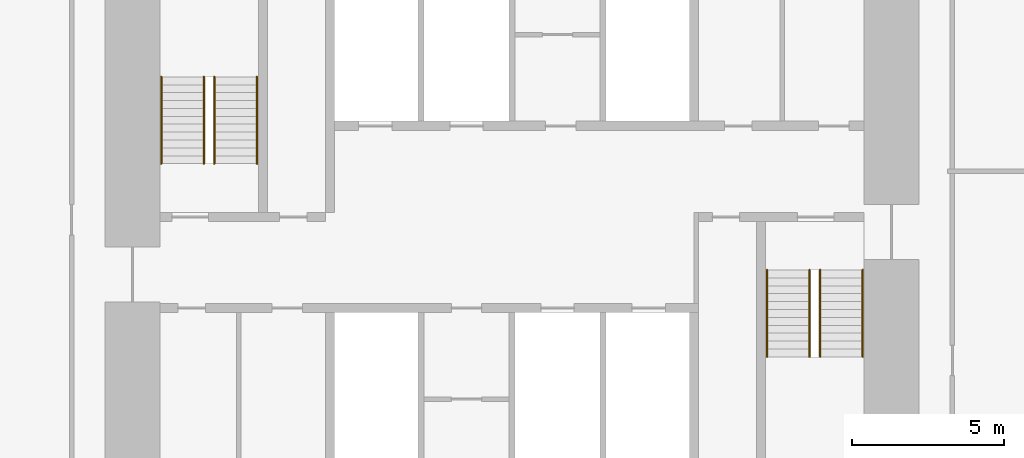
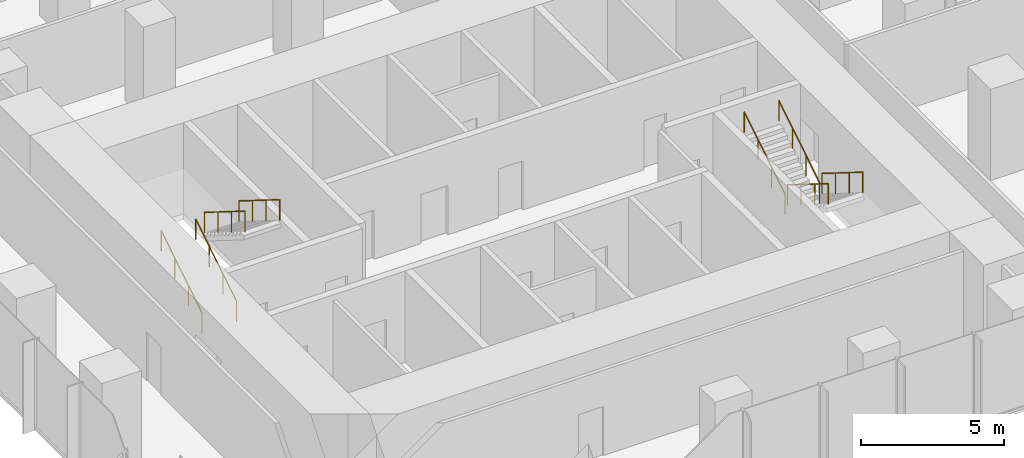
# One storey, part 11 of 11: 8 railings.
"""IFC4 building model written with IfcOpenShell, lengths in metres."""

from ifc_helpers import new_model, si_unit, direction, frame, origin, origin_2d, place, context, subcontext, project, spatial, circle, extrude, material, type_object, element, save


model = new_model("IFC4")

# Units and contexts
model_context = context("Model", 3, precision=1e-05, world=origin(), true_north=direction((0.0, 1.0)))
body_context = subcontext(model_context, "Body", "Model", "MODEL_VIEW")
ifc_project = project(units=[si_unit("LENGTHUNIT", "METRE"), si_unit("AREAUNIT", "SQUARE_METRE"), si_unit("VOLUMEUNIT", "CUBIC_METRE"), si_unit("PLANEANGLEUNIT", "RADIAN"), si_unit("MASSUNIT", "GRAM", prefix="KILO")], contexts=[model_context])

# Site, building, storey
site_placement = place(None, origin())
site = spatial("IfcSite", under=ifc_project, at=site_placement, CompositionType="ELEMENT")
building_placement = place(site_placement, origin())
building = spatial("IfcBuilding", under=site, at=building_placement, Name="Highveld Stack Headquarters", CompositionType="ELEMENT")
storey_placement = place(building_placement, frame((0.0, 0.0, 181.10009765625)))
storey = spatial("IfcBuildingStorey", under=building, at=storey_placement, Name="L44", CompositionType="ELEMENT", Elevation=181.10009765625)

# Railings
ifc_material = material(Name="Stainless steel handrail", Category="steel")
railing_type = type_object("IfcRailingType", Name="STAIR HANDRAIL HR1 900", PredefinedType="HANDRAIL", material=ifc_material)
for number, where, name in (
    (1, (-5.550048828125, 4.75, 0.162353515625), "Handrail S1 L44 flight 1"),
    (2, (-4.14990234375, 4.75, 0.162353515625), "Handrail S1 L44 flight 1"),
):
    element("IfcRailing", number, at=place(storey_placement, frame(where)), inside=storey, type_object=railing_type, Name=name, PredefinedType="HANDRAIL", context=body_context, shape_type="SweptSolid", body=[
        extrude(circle(Radius=0.02392578125, at=origin_2d()), frame((0.0, 0.0, 0.8759765625), z_axis=(0.0, 0.847994237388, 0.530005446535), x_axis=(-1.0, 0.0, 0.0)), (0.0, 0.0, 1.0), 3.372802734375),
        extrude(circle(Radius=0.02099609375, at=origin_2d()), origin(), (0.0, 0.0, 1.0), 0.851806640625),
        extrude(circle(Radius=0.02099609375, at=origin_2d()), frame((0.0, 0.953369140625, 0.595947265625)), (0.0, 0.0, 1.0), 0.851806640625),
        extrude(circle(Radius=0.02099609375, at=origin_2d()), frame((0.0, 1.90673828125, 1.191650390625)), (0.0, 0.0, 1.0), 0.851806640625),
        extrude(circle(Radius=0.02099609375, at=origin_2d()), frame((0.0, 2.860107421875, 1.78759765625)), (0.0, 0.0, 1.0), 0.851806640625),
    ])
for number, where, name in (
    (3, (-3.800048828125, 7.610107421875, 2.1123046875), "Handrail S1 L44 flight 2"),
    (4, (-2.39990234375, 7.610107421875, 2.1123046875), "Handrail S1 L44 flight 2"),
    (5, (16.14990234375, 1.25, 0.162353515625), "Handrail S2 L44 flight 1"),
    (6, (17.550048828125, 1.25, 0.162353515625), "Handrail S2 L44 flight 1"),
):
    element("IfcRailing", number, at=place(storey_placement, frame(where)), inside=storey, type_object=railing_type, Name=name, PredefinedType="HANDRAIL", context=body_context, shape_type="SweptSolid", body=[
        extrude(circle(Radius=0.02392578125, at=origin_2d()), frame((0.0, 0.0, 0.8759765625), z_axis=(0.0, -0.847994237388, 0.530005446535), x_axis=(1.0, 0.0, 0.0)), (0.0, 0.0, 1.0), 3.372802734375),
        extrude(circle(Radius=0.02099609375, at=origin_2d()), origin(), (0.0, 0.0, 1.0), 0.851806640625),
        extrude(circle(Radius=0.02099609375, at=origin_2d()), frame((0.0, -0.953369140625, 0.595947265625)), (0.0, 0.0, 1.0), 0.851806640625),
        extrude(circle(Radius=0.02099609375, at=origin_2d()), frame((0.0, -1.90673828125, 1.191650390625)), (0.0, 0.0, 1.0), 0.851806640625),
        extrude(circle(Radius=0.02099609375, at=origin_2d()), frame((0.0, -2.860107421875, 1.78759765625)), (0.0, 0.0, 1.0), 0.851806640625),
    ])
for number, where, name in (
    (7, (14.39990234375, -1.610107421875, 2.1123046875), "Handrail S2 L44 flight 2"),
    (8, (15.800048828125, -1.610107421875, 2.1123046875), "Handrail S2 L44 flight 2"),
):
    element("IfcRailing", number, at=place(storey_placement, frame(where)), inside=storey, type_object=railing_type, Name=name, PredefinedType="HANDRAIL", context=body_context, shape_type="SweptSolid", body=[
        extrude(circle(Radius=0.02392578125, at=origin_2d()), frame((0.0, 0.0, 0.8759765625), z_axis=(0.0, 0.847994237388, 0.530005446535), x_axis=(-1.0, 0.0, 0.0)), (0.0, 0.0, 1.0), 3.372802734375),
        extrude(circle(Radius=0.02099609375, at=origin_2d()), origin(), (0.0, 0.0, 1.0), 0.851806640625),
        extrude(circle(Radius=0.02099609375, at=origin_2d()), frame((0.0, 0.953369140625, 0.595947265625)), (0.0, 0.0, 1.0), 0.851806640625),
        extrude(circle(Radius=0.02099609375, at=origin_2d()), frame((0.0, 1.90673828125, 1.191650390625)), (0.0, 0.0, 1.0), 0.851806640625),
        extrude(circle(Radius=0.02099609375, at=origin_2d()), frame((0.0, 2.860107421875, 1.78759765625)), (0.0, 0.0, 1.0), 0.851806640625),
    ])

save(model, "model.ifc")
